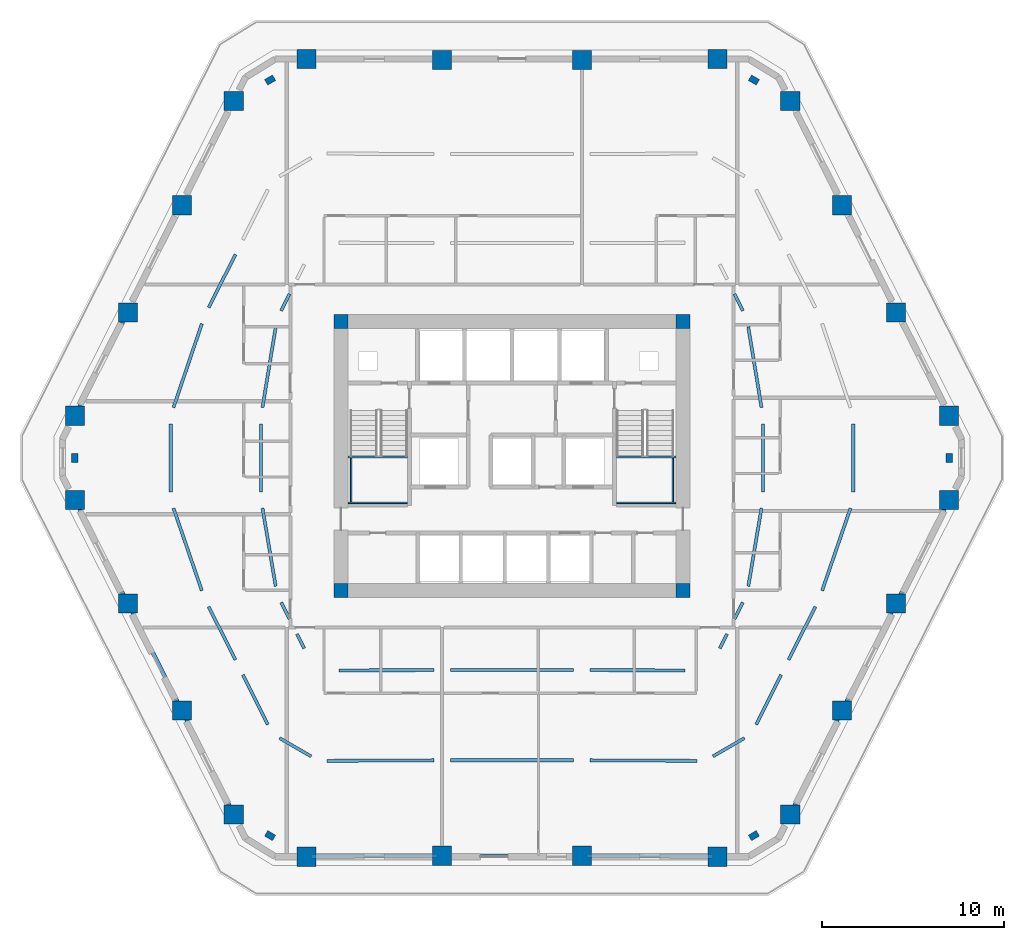
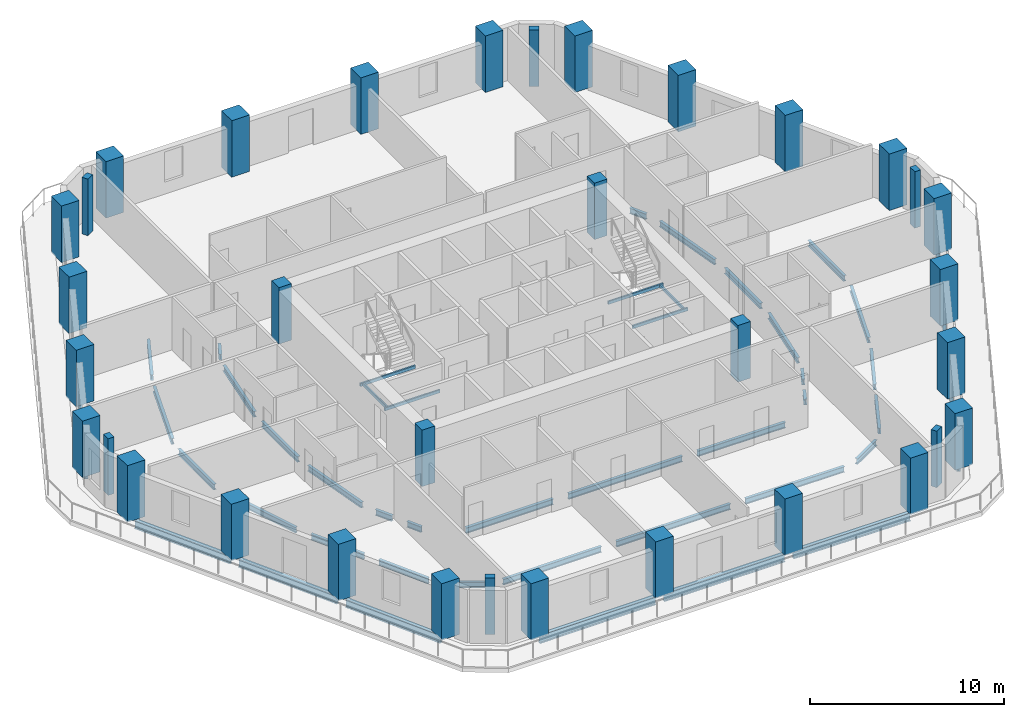
# One storey, part 1 of 10: 46 beams, 34 columns.
"""IFC4 building model written with IfcOpenShell, lengths in metres."""

from ifc_helpers import new_model, si_unit, direction, frame, origin, origin_2d, place, context, subcontext, project, spatial, rectangle, hollow_rectangle, i_section, extrude, material, material_profile, profile_set, type_object, element, save


model = new_model("IFC4")

# Units and contexts
model_context = context("Model", 3, precision=1e-05, world=origin(), true_north=direction((0.0, 1.0)))
body_context = subcontext(model_context, "Body", "Model", "MODEL_VIEW")
ifc_project = project(units=[si_unit("LENGTHUNIT", "METRE"), si_unit("AREAUNIT", "SQUARE_METRE"), si_unit("VOLUMEUNIT", "CUBIC_METRE"), si_unit("PLANEANGLEUNIT", "RADIAN"), si_unit("MASSUNIT", "GRAM", prefix="KILO")], contexts=[model_context])

# Site, building, storey
site_placement = place(None, origin())
site = spatial("IfcSite", under=ifc_project, at=site_placement, CompositionType="ELEMENT")
building_placement = place(site_placement, origin())
building = spatial("IfcBuilding", under=site, at=building_placement, Name="Cinnabar Lancet Tower", CompositionType="ELEMENT")
storey_placement = place(building_placement, frame((0.0, 0.0, 98.39990234375)))
storey = spatial("IfcBuildingStorey", under=building, at=storey_placement, Name="L25", CompositionType="ELEMENT", Elevation=98.39990234375)

# Columns
ifc_material_1 = material(Name="Concrete C70/85", Category="concrete")
ifc_material_profile_1 = material_profile(ifc_material_1, rectangle(XDim=0.75, YDim=0.75, at=origin_2d()), Name="RC-COL 750x750")
ifc_profile_set_1 = profile_set([ifc_material_profile_1], Name="Concrete C70/85")
column_type_1 = type_object("IfcColumnType", Name="STR-COL-CORE-750", PredefinedType="COLUMN", material=ifc_profile_set_1)
for number, where, z_axis, x_axis, name in (
    (1, (23.02490234375, 18.52490234375, 0.0), (0.0, 0.0, 1.0), (1.0, 0.0, 0.0), "L25 Core Corner Column SW"),
    (2, (41.77490234375, 18.52490234375, 0.0), (0.0, 0.0, 1.0), (1.0, 0.0, 0.0), "L25 Core Corner Column SE"),
    (3, (41.77490234375, 33.27490234375, 0.0), (0.0, 0.0, 1.0), (1.0, 0.0, 0.0), "L25 Core Corner Column NE"),
    (4, (23.02490234375, 33.27490234375, 0.0), (0.0, 0.0, 1.0), (1.0, 0.0, 0.0), "L25 Core Corner Column NW"),
):
    element("IfcColumn", number, at=place(storey_placement, frame(where, z_axis=z_axis, x_axis=x_axis)), inside=storey, type_object=column_type_1, Name=name, PredefinedType="COLUMN", context=body_context, shape_type="SweptSolid", body=[
        extrude(rectangle(XDim=0.75, YDim=0.75, at=origin_2d()), origin(), (0.0, 0.0, 1.0), 3.550048828125),
    ])
ifc_material_2 = material(Name="Concrete C60/75", Category="concrete")
ifc_material_profile_2 = material_profile(ifc_material_2, rectangle(XDim=0.5, YDim=0.35009765625, at=origin_2d()), Name="RC-PIL 500x350")
ifc_profile_set_2 = profile_set([ifc_material_profile_2], Name="Concrete C60/75")
column_type_2 = type_object("IfcColumnType", Name="STR-COL-PIL-500", PredefinedType="PILASTER", material=ifc_profile_set_2)
for number, where, z_axis, x_axis, name in (
    (5, (19.14111328125, 5.093017578125, 0.0), (0.0, 0.0, 1.0), (0.865160173452, -0.501495637342, 0.0), "L25 Chamfered Corner Pilaster 1"),
    (6, (45.658935546875, 5.093017578125, 0.0), (0.0, 0.0, 1.0), (0.865160173452, 0.501495637342, 0.0), "L25 Chamfered Corner Pilaster 2"),
    (7, (56.35693359375, 25.800048828125, 0.0), (0.0, 0.0, 1.0), (0.0, 1.0, 0.0), "L25 Chamfered Corner Pilaster 3"),
    (8, (45.658935546875, 46.508056640625, 0.0), (0.0, 0.0, 1.0), (-0.865160173452, 0.501495637342, 0.0), "L25 Chamfered Corner Pilaster 4"),
    (9, (19.14111328125, 46.508056640625, 0.0), (0.0, 0.0, 1.0), (-0.865160173452, -0.501495637342, 0.0), "L25 Chamfered Corner Pilaster 5"),
    (10, (8.443115234375, 25.800048828125, 0.0), (0.0, 0.0, 1.0), (0.0, -1.0, 0.0), "L25 Chamfered Corner Pilaster 6"),
):
    element("IfcColumn", number, at=place(storey_placement, frame(where, z_axis=z_axis, x_axis=x_axis)), inside=storey, type_object=column_type_2, Name=name, PredefinedType="PILASTER", context=body_context, shape_type="SweptSolid", body=[
        extrude(rectangle(XDim=0.5, YDim=0.35009765625, at=origin_2d()), origin(), (0.0, 0.0, 1.0), 3.550048828125),
    ])
ifc_material_3 = material(Name="Concrete C70/85", Category="concrete")
ifc_material_profile_3 = material_profile(ifc_material_3, rectangle(XDim=1.050048828125, YDim=1.050048828125, at=origin_2d()), Name="RC-COL 1050x1050")
ifc_profile_set_3 = profile_set([ifc_material_profile_3], Name="Concrete C70/85")
column_type_3 = type_object("IfcColumnType", Name="STR-COL-TUBE-1050", PredefinedType="COLUMN", material=ifc_profile_set_3)
for number, where, z_axis, x_axis, name in (
    (11, (21.131103515625, 3.93896484375, 0.0), (0.0, 0.0, 1.0), (1.0, 0.0, 0.0), "L25 Perimeter Tube Column 1"),
    (12, (28.568115234375, 3.991943359375, 0.0), (0.0, 0.0, 1.0), (1.0, 0.0, 0.0), "L25 Perimeter Tube Column 2"),
    (13, (36.23193359375, 3.991943359375, 0.0), (0.0, 0.0, 1.0), (1.0, 0.0, 0.0), "L25 Perimeter Tube Column 3"),
    (14, (43.6689453125, 3.93896484375, 0.0), (0.0, 0.0, 1.0), (1.0, 0.0, 0.0), "L25 Perimeter Tube Column 4"),
    (15, (47.64892578125, 6.24609375, 0.0), (0.0, 0.0, 1.0), (1.0, 0.0, 0.0), "L25 Perimeter Tube Column 5"),
    (16, (50.489013671875, 11.955078125, 0.0), (0.0, 0.0, 1.0), (1.0, 0.0, 0.0), "L25 Perimeter Tube Column 6"),
    (17, (53.451904296875, 17.823974609375, 0.0), (0.0, 0.0, 1.0), (1.0, 0.0, 0.0), "L25 Perimeter Tube Column 7"),
    (18, (56.35693359375, 23.490966796875, 0.0), (0.0, 0.0, 1.0), (1.0, 0.0, 0.0), "L25 Perimeter Tube Column 8"),
    (19, (56.35693359375, 28.10888671875, 0.0), (0.0, 0.0, 1.0), (1.0, 0.0, 0.0), "L25 Perimeter Tube Column 9"),
    (20, (53.451904296875, 33.77587890625, 0.0), (0.0, 0.0, 1.0), (1.0, 0.0, 0.0), "L25 Perimeter Tube Column 10"),
    (21, (50.489013671875, 39.64501953125, 0.0), (0.0, 0.0, 1.0), (1.0, 0.0, 0.0), "L25 Perimeter Tube Column 11"),
    (22, (47.64892578125, 45.35400390625, 0.0), (0.0, 0.0, 1.0), (1.0, 0.0, 0.0), "L25 Perimeter Tube Column 12"),
    (23, (43.6689453125, 47.660888671875, 0.0), (0.0, 0.0, 1.0), (1.0, 0.0, 0.0), "L25 Perimeter Tube Column 13"),
    (24, (36.23193359375, 47.60791015625, 0.0), (0.0, 0.0, 1.0), (1.0, 0.0, 0.0), "L25 Perimeter Tube Column 14"),
    (25, (28.568115234375, 47.60791015625, 0.0), (0.0, 0.0, 1.0), (1.0, 0.0, 0.0), "L25 Perimeter Tube Column 15"),
    (26, (21.131103515625, 47.660888671875, 0.0), (0.0, 0.0, 1.0), (1.0, 0.0, 0.0), "L25 Perimeter Tube Column 16"),
    (27, (17.15087890625, 45.35400390625, 0.0), (0.0, 0.0, 1.0), (1.0, 0.0, 0.0), "L25 Perimeter Tube Column 17"),
    (28, (14.31103515625, 39.64501953125, 0.0), (0.0, 0.0, 1.0), (1.0, 0.0, 0.0), "L25 Perimeter Tube Column 18"),
    (29, (11.347900390625, 33.77587890625, 0.0), (0.0, 0.0, 1.0), (1.0, 0.0, 0.0), "L25 Perimeter Tube Column 19"),
    (30, (8.443115234375, 28.10888671875, 0.0), (0.0, 0.0, 1.0), (1.0, 0.0, 0.0), "L25 Perimeter Tube Column 20"),
    (31, (8.443115234375, 23.490966796875, 0.0), (0.0, 0.0, 1.0), (1.0, 0.0, 0.0), "L25 Perimeter Tube Column 21"),
    (32, (11.347900390625, 17.823974609375, 0.0), (0.0, 0.0, 1.0), (1.0, 0.0, 0.0), "L25 Perimeter Tube Column 22"),
    (33, (14.31103515625, 11.955078125, 0.0), (0.0, 0.0, 1.0), (1.0, 0.0, 0.0), "L25 Perimeter Tube Column 23"),
    (34, (17.15087890625, 6.24609375, 0.0), (0.0, 0.0, 1.0), (1.0, 0.0, 0.0), "L25 Perimeter Tube Column 24"),
):
    element("IfcColumn", number, at=place(storey_placement, frame(where, z_axis=z_axis, x_axis=x_axis)), inside=storey, type_object=column_type_3, Name=name, PredefinedType="COLUMN", context=body_context, shape_type="SweptSolid", body=[
        extrude(rectangle(XDim=1.050048828125, YDim=1.050048828125, at=origin_2d()), origin(), (0.0, 0.0, 1.0), 3.550048828125),
    ])

# Beams
ifc_material_4 = material(Name="Structural steel S355", Category="steel")
ifc_material_profile_4 = material_profile(ifc_material_4, i_section(OverallWidth=0.17138671875, OverallDepth=0.35498046875, WebThickness=0.00732421875, FlangeThickness=0.011474609375, FilletRadius=0.01025390625, at=origin_2d()), Name="UKB 356x171x51")
ifc_profile_set_4 = profile_set([ifc_material_profile_4], Name="Structural steel S355")
beam_type_1 = type_object("IfcBeamType", Name="STR-BM-JST-356", PredefinedType="JOIST", material=ifc_profile_set_4)
beam_1_placement = place(storey_placement, frame((13.846923828125, 23.041015625, -0.386962890625), z_axis=(0.324745877327, -0.945801308499, 0.0), x_axis=(0.945801308499, 0.324745877327, 0.0)))
element("IfcBeam", 35, at=beam_1_placement, inside=storey, type_object=beam_type_1, Name="L25 Secondary Floor Joist 1", PredefinedType="JOIST", context=body_context, shape_type="SweptSolid", body=[
    extrude(i_section(OverallWidth=0.17138671875, OverallDepth=0.35498046875, WebThickness=0.00732421875, FlangeThickness=0.011474609375, FilletRadius=0.01025390625, at=origin_2d()), origin(), (0.0, 0.0, 1.0), 4.7822265625),
])
beam_2_placement = place(storey_placement, frame((18.72607421875, 23.041015625, -0.386962890625), z_axis=(0.16610446643, -0.986108161528, 0.0), x_axis=(0.986108161528, 0.16610446643, 0.0)))
element("IfcBeam", 36, at=beam_2_placement, inside=storey, type_object=beam_type_1, Name="L25 Secondary Floor Joist 2", PredefinedType="JOIST", context=body_context, shape_type="SweptSolid", body=[
    extrude(i_section(OverallWidth=0.17138671875, OverallDepth=0.35498046875, WebThickness=0.00732421875, FlangeThickness=0.011474609375, FilletRadius=0.01025390625, at=origin_2d()), origin(), (0.0, 0.0, 1.0), 4.34033203125),
])
beam_3_placement = place(storey_placement, frame((15.77294921875, 17.638916015625, -0.386962890625), z_axis=(0.450535046015, -0.892758742501, 0.0), x_axis=(0.892758742501, 0.450535046015, 0.0)))
element("IfcBeam", 37, at=beam_3_placement, inside=storey, type_object=beam_type_1, Name="L25 Secondary Floor Joist 3", PredefinedType="JOIST", context=body_context, shape_type="SweptSolid", body=[
    extrude(i_section(OverallWidth=0.17138671875, OverallDepth=0.35498046875, WebThickness=0.00732421875, FlangeThickness=0.011474609375, FilletRadius=0.01025390625, at=origin_2d()), origin(), (0.0, 0.0, 1.0), 3.260498046875),
])
beam_4_placement = place(storey_placement, frame((19.742919921875, 17.876953125, -0.386962890625), z_axis=(0.450829908766, -0.892609877473, 0.0), x_axis=(0.892609877473, 0.450829908766, 0.0)))
element("IfcBeam", 38, at=beam_4_placement, inside=storey, type_object=beam_type_1, Name="L25 Secondary Floor Joist 4", PredefinedType="JOIST", context=body_context, shape_type="SweptSolid", body=[
    extrude(i_section(OverallWidth=0.17138671875, OverallDepth=0.35498046875, WebThickness=0.00732421875, FlangeThickness=0.011474609375, FilletRadius=0.01025390625, at=origin_2d()), origin(), (0.0, 0.0, 1.0), 1.025146484375),
])
beam_5_placement = place(storey_placement, frame((17.652099609375, 13.909912109375, -0.386962890625), z_axis=(0.445356314246, -0.895353423717, 0.0), x_axis=(0.895353423717, 0.445356314246, 0.0)))
element("IfcBeam", 39, at=beam_5_placement, inside=storey, type_object=beam_type_1, Name="L25 Secondary Floor Joist 5", PredefinedType="JOIST", context=body_context, shape_type="SweptSolid", body=[
    extrude(i_section(OverallWidth=0.17138671875, OverallDepth=0.35498046875, WebThickness=0.00732421875, FlangeThickness=0.011474609375, FilletRadius=0.01025390625, at=origin_2d()), origin(), (0.0, 0.0, 1.0), 3.05126953125),
])
beam_6_placement = place(storey_placement, frame((20.614990234375, 16.14404296875, -0.386962890625), z_axis=(0.44544639327, -0.895308612001, 0.0), x_axis=(0.895308612001, 0.44544639327, 0.0)))
element("IfcBeam", 40, at=beam_6_placement, inside=storey, type_object=beam_type_1, Name="L25 Secondary Floor Joist 6", PredefinedType="JOIST", context=body_context, shape_type="SweptSolid", body=[
    extrude(i_section(OverallWidth=0.17138671875, OverallDepth=0.35498046875, WebThickness=0.00732421875, FlangeThickness=0.011474609375, FilletRadius=0.01025390625, at=origin_2d()), origin(), (0.0, 0.0, 1.0), 0.884521484375),
])
beam_7_placement = place(storey_placement, frame((19.656005859375, 10.43994140625, -0.386962890625), z_axis=(0.865351249134, -0.5011658564, 0.0), x_axis=(0.5011658564, 0.865351249134, 0.0)))
element("IfcBeam", 41, at=beam_7_placement, inside=storey, type_object=beam_type_1, Name="L25 Secondary Floor Joist 7", PredefinedType="JOIST", context=body_context, shape_type="SweptSolid", body=[
    extrude(i_section(OverallWidth=0.17138671875, OverallDepth=0.35498046875, WebThickness=0.00732421875, FlangeThickness=0.011474609375, FilletRadius=0.01025390625, at=origin_2d()), origin(), (0.0, 0.0, 1.0), 2.005126953125),
])
beam_8_placement = place(storey_placement, frame((22.26708984375, 9.19189453125, -0.386962890625), z_axis=(0.99998682906, 0.005132417274, 0.0), x_axis=(-0.005132417274, 0.99998682906, 0.0)))
element("IfcBeam", 42, at=beam_8_placement, inside=storey, type_object=beam_type_1, Name="L25 Secondary Floor Joist 8", PredefinedType="JOIST", context=body_context, shape_type="SweptSolid", body=[
    extrude(i_section(OverallWidth=0.17138671875, OverallDepth=0.35498046875, WebThickness=0.00732421875, FlangeThickness=0.011474609375, FilletRadius=0.01025390625, at=origin_2d()), origin(), (0.0, 0.0, 1.0), 5.850830078125),
])
beam_9_placement = place(storey_placement, frame((22.910888671875, 14.14990234375, -0.386962890625), z_axis=(0.999996302371, 0.002719419802, 0.0), x_axis=(-0.002719419802, 0.999996302371, 0.0)))
element("IfcBeam", 43, at=beam_9_placement, inside=storey, type_object=beam_type_1, Name="L25 Secondary Floor Joist 9", PredefinedType="JOIST", context=body_context, shape_type="SweptSolid", body=[
    extrude(i_section(OverallWidth=0.17138671875, OverallDepth=0.35498046875, WebThickness=0.00732421875, FlangeThickness=0.011474609375, FilletRadius=0.01025390625, at=origin_2d()), origin(), (0.0, 0.0, 1.0), 5.20703125),
])
for number, where, z_axis, x_axis, name in (
    (44, (29.01806640625, 9.22412109375, -0.386962890625), (1.0, 0.0, 0.0), (0.0, 1.0, 0.0), "L25 Secondary Floor Joist 10"),
    (45, (29.01806640625, 14.1650390625, -0.386962890625), (1.0, 0.0, 0.0), (0.0, 1.0, 0.0), "L25 Secondary Floor Joist 11"),
):
    element("IfcBeam", number, at=place(storey_placement, frame(where, z_axis=z_axis, x_axis=x_axis)), inside=storey, type_object=beam_type_1, Name=name, PredefinedType="JOIST", context=body_context, shape_type="SweptSolid", body=[
        extrude(i_section(OverallWidth=0.17138671875, OverallDepth=0.35498046875, WebThickness=0.00732421875, FlangeThickness=0.011474609375, FilletRadius=0.01025390625, at=origin_2d()), origin(), (0.0, 0.0, 1.0), 6.763916015625),
    ])
beam_10_placement = place(storey_placement, frame((36.681884765625, 9.221923828125, -0.386962890625), z_axis=(0.999986830159, -0.005132203126, 0.0), x_axis=(0.005132203126, 0.999986830159, 0.0)))
element("IfcBeam", 46, at=beam_10_placement, inside=storey, type_object=beam_type_1, Name="L25 Secondary Floor Joist 12", PredefinedType="JOIST", context=body_context, shape_type="SweptSolid", body=[
    extrude(i_section(OverallWidth=0.17138671875, OverallDepth=0.35498046875, WebThickness=0.00732421875, FlangeThickness=0.011474609375, FilletRadius=0.01025390625, at=origin_2d()), origin(), (0.0, 0.0, 1.0), 5.85107421875),
])
beam_11_placement = place(storey_placement, frame((36.681884765625, 14.1640625, -0.386962890625), z_axis=(0.999996302371, -0.002719419802, 0.0), x_axis=(0.002719419802, 0.999996302371, 0.0)))
element("IfcBeam", 47, at=beam_11_placement, inside=storey, type_object=beam_type_1, Name="L25 Secondary Floor Joist 13", PredefinedType="JOIST", context=body_context, shape_type="SweptSolid", body=[
    extrude(i_section(OverallWidth=0.17138671875, OverallDepth=0.35498046875, WebThickness=0.00732421875, FlangeThickness=0.011474609375, FilletRadius=0.01025390625, at=origin_2d()), origin(), (0.0, 0.0, 1.0), 5.20703125),
])
beam_12_placement = place(storey_placement, frame((43.408935546875, 9.43505859375, -0.386962890625), z_axis=(0.865351249134, 0.5011658564, 0.0), x_axis=(-0.5011658564, 0.865351249134, 0.0)))
element("IfcBeam", 48, at=beam_12_placement, inside=storey, type_object=beam_type_1, Name="L25 Secondary Floor Joist 14", PredefinedType="JOIST", context=body_context, shape_type="SweptSolid", body=[
    extrude(i_section(OverallWidth=0.17138671875, OverallDepth=0.35498046875, WebThickness=0.00732421875, FlangeThickness=0.011474609375, FilletRadius=0.01025390625, at=origin_2d()), origin(), (0.0, 0.0, 1.0), 2.005126953125),
])
beam_13_placement = place(storey_placement, frame((45.7890625, 11.177978515625, -0.386962890625), z_axis=(0.445356314246, 0.895353423717, 0.0), x_axis=(-0.895353423717, 0.445356314246, 0.0)))
element("IfcBeam", 49, at=beam_13_placement, inside=storey, type_object=beam_type_1, Name="L25 Secondary Floor Joist 15", PredefinedType="JOIST", context=body_context, shape_type="SweptSolid", body=[
    extrude(i_section(OverallWidth=0.17138671875, OverallDepth=0.35498046875, WebThickness=0.00732421875, FlangeThickness=0.011474609375, FilletRadius=0.01025390625, at=origin_2d()), origin(), (0.0, 0.0, 1.0), 3.05126953125),
])
beam_14_placement = place(storey_placement, frame((43.791015625, 15.35205078125, -0.386962890625), z_axis=(0.44544639327, 0.895308612001, 0.0), x_axis=(-0.895308612001, 0.44544639327, 0.0)))
element("IfcBeam", 50, at=beam_14_placement, inside=storey, type_object=beam_type_1, Name="L25 Secondary Floor Joist 16", PredefinedType="JOIST", context=body_context, shape_type="SweptSolid", body=[
    extrude(i_section(OverallWidth=0.17138671875, OverallDepth=0.35498046875, WebThickness=0.00732421875, FlangeThickness=0.011474609375, FilletRadius=0.01025390625, at=origin_2d()), origin(), (0.0, 0.0, 1.0), 0.884521484375),
])
beam_15_placement = place(storey_placement, frame((47.55810546875, 14.72802734375, -0.386962890625), z_axis=(0.450535046015, 0.892758742501, 0.0), x_axis=(-0.892758742501, 0.450535046015, 0.0)))
element("IfcBeam", 51, at=beam_15_placement, inside=storey, type_object=beam_type_1, Name="L25 Secondary Floor Joist 17", PredefinedType="JOIST", context=body_context, shape_type="SweptSolid", body=[
    extrude(i_section(OverallWidth=0.17138671875, OverallDepth=0.35498046875, WebThickness=0.00732421875, FlangeThickness=0.011474609375, FilletRadius=0.01025390625, at=origin_2d()), origin(), (0.0, 0.0, 1.0), 3.260498046875),
])
beam_16_placement = place(storey_placement, frame((44.594970703125, 16.9619140625, -0.386962890625), z_axis=(0.45064012659, 0.892705705318, 0.0), x_axis=(-0.892705705318, 0.45064012659, 0.0)))
element("IfcBeam", 52, at=beam_16_placement, inside=storey, type_object=beam_type_1, Name="L25 Secondary Floor Joist 18", PredefinedType="JOIST", context=body_context, shape_type="SweptSolid", body=[
    extrude(i_section(OverallWidth=0.17138671875, OverallDepth=0.35498046875, WebThickness=0.00732421875, FlangeThickness=0.011474609375, FilletRadius=0.01025390625, at=origin_2d()), origin(), (0.0, 0.0, 1.0), 1.02490234375),
])
beam_17_placement = place(storey_placement, frame((49.39990234375, 18.51806640625, -0.386962890625), z_axis=(0.324745877327, 0.945801308499, 0.0), x_axis=(-0.945801308499, 0.324745877327, 0.0)))
element("IfcBeam", 53, at=beam_17_placement, inside=storey, type_object=beam_type_1, Name="L25 Secondary Floor Joist 19", PredefinedType="JOIST", context=body_context, shape_type="SweptSolid", body=[
    extrude(i_section(OverallWidth=0.17138671875, OverallDepth=0.35498046875, WebThickness=0.00732421875, FlangeThickness=0.011474609375, FilletRadius=0.01025390625, at=origin_2d()), origin(), (0.0, 0.0, 1.0), 4.7822265625),
])
beam_18_placement = place(storey_placement, frame((45.35302734375, 18.760986328125, -0.386962890625), z_axis=(0.16610446643, 0.986108161528, 0.0), x_axis=(-0.986108161528, 0.16610446643, 0.0)))
element("IfcBeam", 54, at=beam_18_placement, inside=storey, type_object=beam_type_1, Name="L25 Secondary Floor Joist 20", PredefinedType="JOIST", context=body_context, shape_type="SweptSolid", body=[
    extrude(i_section(OverallWidth=0.17138671875, OverallDepth=0.35498046875, WebThickness=0.00732421875, FlangeThickness=0.011474609375, FilletRadius=0.01025390625, at=origin_2d()), origin(), (0.0, 0.0, 1.0), 4.34033203125),
])
for number, where, z_axis, x_axis, name in (
    (55, (51.10693359375, 23.94091796875, -0.386962890625), (0.0, 1.0, 0.0), (-1.0, 0.0, 0.0), "L25 Secondary Floor Joist 21"),
    (56, (46.14990234375, 23.94091796875, -0.386962890625), (0.0, 1.0, 0.0), (-1.0, 0.0, 0.0), "L25 Secondary Floor Joist 22"),
):
    element("IfcBeam", number, at=place(storey_placement, frame(where, z_axis=z_axis, x_axis=x_axis)), inside=storey, type_object=beam_type_1, Name=name, PredefinedType="JOIST", context=body_context, shape_type="SweptSolid", body=[
        extrude(i_section(OverallWidth=0.17138671875, OverallDepth=0.35498046875, WebThickness=0.00732421875, FlangeThickness=0.011474609375, FilletRadius=0.01025390625, at=origin_2d()), origin(), (0.0, 0.0, 1.0), 3.718017578125),
    ])
beam_19_placement = place(storey_placement, frame((46.075927734375, 28.55908203125, -0.386962890625), z_axis=(-0.161869897693, 0.986812107861, 0.0), x_axis=(-0.986812107861, -0.161869897693, 0.0)))
element("IfcBeam", 57, at=beam_19_placement, inside=storey, type_object=beam_type_1, Name="L25 Secondary Floor Joist 24", PredefinedType="JOIST", context=body_context, shape_type="SweptSolid", body=[
    extrude(i_section(OverallWidth=0.17138671875, OverallDepth=0.35498046875, WebThickness=0.00732421875, FlangeThickness=0.011474609375, FilletRadius=0.01025390625, at=origin_2d()), origin(), (0.0, 0.0, 1.0), 4.47802734375),
])
beam_20_placement = place(storey_placement, frame((45.055908203125, 33.865966796875, -0.386962890625), z_axis=(-0.450647434843, 0.892702016055, 0.0), x_axis=(-0.892702016055, -0.450647434843, 0.0)))
element("IfcBeam", 58, at=beam_20_placement, inside=storey, type_object=beam_type_1, Name="L25 Secondary Floor Joist 26", PredefinedType="JOIST", context=body_context, shape_type="SweptSolid", body=[
    extrude(i_section(OverallWidth=0.17138671875, OverallDepth=0.35498046875, WebThickness=0.00732421875, FlangeThickness=0.011474609375, FilletRadius=0.01025390625, at=origin_2d()), origin(), (0.0, 0.0, 1.0), 1.02294921875),
])
beam_21_placement = place(storey_placement, frame((17.241943359375, 36.945068359375, -0.386962890625), z_axis=(-0.450657847066, -0.892696759755, 0.0), x_axis=(0.892696759755, -0.450657847066, 0.0)))
element("IfcBeam", 59, at=beam_21_placement, inside=storey, type_object=beam_type_1, Name="L25 Secondary Floor Joist 39", PredefinedType="JOIST", context=body_context, shape_type="SweptSolid", body=[
    extrude(i_section(OverallWidth=0.17138671875, OverallDepth=0.35498046875, WebThickness=0.00732421875, FlangeThickness=0.011474609375, FilletRadius=0.01025390625, at=origin_2d()), origin(), (0.0, 0.0, 1.0), 3.257568359375),
])
beam_22_placement = place(storey_placement, frame((20.205078125, 34.779052734375, -0.386962890625), z_axis=(-0.450837620546, -0.892605982447, 0.0), x_axis=(0.892605982447, -0.450837620546, 0.0)))
element("IfcBeam", 60, at=beam_22_placement, inside=storey, type_object=beam_type_1, Name="L25 Secondary Floor Joist 40", PredefinedType="JOIST", context=body_context, shape_type="SweptSolid", body=[
    extrude(i_section(OverallWidth=0.17138671875, OverallDepth=0.35498046875, WebThickness=0.00732421875, FlangeThickness=0.011474609375, FilletRadius=0.01025390625, at=origin_2d()), origin(), (0.0, 0.0, 1.0), 1.02294921875),
])
beam_23_placement = place(storey_placement, frame((15.40087890625, 33.152099609375, -0.386962890625), z_axis=(-0.320845640672, -0.947131498189, 0.0), x_axis=(0.947131498189, -0.320845640672, 0.0)))
element("IfcBeam", 61, at=beam_23_placement, inside=storey, type_object=beam_type_1, Name="L25 Secondary Floor Joist 41", PredefinedType="JOIST", context=body_context, shape_type="SweptSolid", body=[
    extrude(i_section(OverallWidth=0.17138671875, OverallDepth=0.35498046875, WebThickness=0.00732421875, FlangeThickness=0.011474609375, FilletRadius=0.01025390625, at=origin_2d()), origin(), (0.0, 0.0, 1.0), 4.849365234375),
])
beam_24_placement = place(storey_placement, frame((19.448974609375, 32.97802734375, -0.386962890625), z_axis=(-0.161869897693, -0.986812107861, 0.0), x_axis=(0.986812107861, -0.161869897693, 0.0)))
element("IfcBeam", 62, at=beam_24_placement, inside=storey, type_object=beam_type_1, Name="L25 Secondary Floor Joist 42", PredefinedType="JOIST", context=body_context, shape_type="SweptSolid", body=[
    extrude(i_section(OverallWidth=0.17138671875, OverallDepth=0.35498046875, WebThickness=0.00732421875, FlangeThickness=0.011474609375, FilletRadius=0.01025390625, at=origin_2d()), origin(), (0.0, 0.0, 1.0), 4.47802734375),
])
for number, where, z_axis, x_axis, name in (
    (63, (13.693115234375, 27.658935546875, -0.386962890625), (0.0, -1.0, 0.0), (1.0, 0.0, 0.0), "L25 Secondary Floor Joist 43"),
    (64, (18.64990234375, 27.658935546875, -0.386962890625), (0.0, -1.0, 0.0), (1.0, 0.0, 0.0), "L25 Secondary Floor Joist 44"),
):
    element("IfcBeam", number, at=place(storey_placement, frame(where, z_axis=z_axis, x_axis=x_axis)), inside=storey, type_object=beam_type_1, Name=name, PredefinedType="JOIST", context=body_context, shape_type="SweptSolid", body=[
        extrude(i_section(OverallWidth=0.17138671875, OverallDepth=0.35498046875, WebThickness=0.00732421875, FlangeThickness=0.011474609375, FilletRadius=0.01025390625, at=origin_2d()), origin(), (0.0, 0.0, 1.0), 3.718017578125),
    ])
ifc_material_5 = material(Name="Structural steel S355", Category="steel")
ifc_material_profile_5 = material_profile(ifc_material_5, hollow_rectangle(XDim=0.10009765625, YDim=0.199951171875, WallThickness=0.008056640625, InnerFilletRadius=0.00390625, OuterFilletRadius=0.011962890625, at=origin_2d()), Name="RHS 200x100x8")
ifc_profile_set_5 = profile_set([ifc_material_profile_5], Name="Structural steel S355")
beam_type_2 = type_object("IfcBeamType", Name="STR-BM-LND-203", PredefinedType="BEAM", material=ifc_profile_set_5)
for number, where, z_axis, x_axis, name in (
    (65, (23.39990234375, 23.330078125, 1.47509765625), (1.0, 0.0, 0.0), (0.0, 1.0, 0.0), "L25 ST-1-L25 Landing Support Beam S"),
    (66, (23.39990234375, 25.844970703125, 1.47509765625), (1.0, 0.0, 0.0), (0.0, 1.0, 0.0), "L25 ST-1-L25 Landing Support Beam N"),
):
    element("IfcBeam", number, at=place(storey_placement, frame(where, z_axis=z_axis, x_axis=x_axis)), inside=storey, type_object=beam_type_2, Name=name, PredefinedType="BEAM", context=body_context, shape_type="SweptSolid", body=[
        extrude(hollow_rectangle(XDim=0.10009765625, YDim=0.199951171875, WallThickness=0.008056640625, InnerFilletRadius=0.00390625, OuterFilletRadius=0.011962890625, at=origin_2d()), origin(), (0.0, 0.0, 1.0), 3.280029296875),
    ])
beam_25_placement = place(storey_placement, frame((23.580078125, 23.3798828125, 1.47509765625), z_axis=(0.0, 1.0, 0.0), x_axis=(-1.0, 0.0, 0.0)))
element("IfcBeam", 67, at=beam_25_placement, inside=storey, type_object=beam_type_2, Name="L25 ST-1-L25 Landing Side Trimmer Beam", PredefinedType="BEAM", context=body_context, shape_type="SweptSolid", body=[
    extrude(hollow_rectangle(XDim=0.10009765625, YDim=0.199951171875, WallThickness=0.008056640625, InnerFilletRadius=0.00390625, OuterFilletRadius=0.011962890625, at=origin_2d()), origin(), (0.0, 0.0, 1.0), 2.4150390625),
])
for number, where, z_axis, x_axis, name in (
    (68, (38.1201171875, 23.330078125, 1.47509765625), (1.0, 0.0, 0.0), (0.0, 1.0, 0.0), "L25 ST-2-L25 Landing Support Beam S"),
    (69, (38.1201171875, 25.844970703125, 1.47509765625), (1.0, 0.0, 0.0), (0.0, 1.0, 0.0), "L25 ST-2-L25 Landing Support Beam N"),
):
    element("IfcBeam", number, at=place(storey_placement, frame(where, z_axis=z_axis, x_axis=x_axis)), inside=storey, type_object=beam_type_2, Name=name, PredefinedType="BEAM", context=body_context, shape_type="SweptSolid", body=[
        extrude(hollow_rectangle(XDim=0.10009765625, YDim=0.199951171875, WallThickness=0.008056640625, InnerFilletRadius=0.00390625, OuterFilletRadius=0.011962890625, at=origin_2d()), origin(), (0.0, 0.0, 1.0), 3.27978515625),
    ])
beam_26_placement = place(storey_placement, frame((41.219970703125, 23.3798828125, 1.47509765625), z_axis=(0.0, 1.0, 0.0), x_axis=(-1.0, 0.0, 0.0)))
element("IfcBeam", 70, at=beam_26_placement, inside=storey, type_object=beam_type_2, Name="L25 ST-2-L25 Landing Side Trimmer Beam", PredefinedType="BEAM", context=body_context, shape_type="SweptSolid", body=[
    extrude(hollow_rectangle(XDim=0.10009765625, YDim=0.199951171875, WallThickness=0.008056640625, InnerFilletRadius=0.00390625, OuterFilletRadius=0.011962890625, at=origin_2d()), origin(), (0.0, 0.0, 1.0), 2.4150390625),
])
ifc_material_6 = material(Name="Structural steel S355", Category="steel")
ifc_material_profile_6 = material_profile(ifc_material_6, i_section(OverallWidth=0.209228515625, OverallDepth=0.533203125, WebThickness=0.010009765625, FlangeThickness=0.015625, FilletRadius=0.0126953125, at=origin_2d()), Name="UKB 533x210x92")
ifc_profile_set_6 = profile_set([ifc_material_profile_6], Name="Structural steel S355")
beam_type_3 = type_object("IfcBeamType", Name="STR-BM-SPN-533", PredefinedType="SPANDREL", material=ifc_profile_set_6)
beam_27_placement = place(storey_placement, frame((21.381103515625, 3.94091796875, -0.476806640625), z_axis=(0.999974980359, 0.007073800628, 0.0), x_axis=(-0.007073800628, 0.999974980359, 0.0)))
element("IfcBeam", 71, at=beam_27_placement, inside=storey, type_object=beam_type_3, Name="L25 Perimeter Spandrel 1", PredefinedType="SPANDREL", context=body_context, shape_type="SweptSolid", body=[
    extrude(i_section(OverallWidth=0.209228515625, OverallDepth=0.533203125, WebThickness=0.010009765625, FlangeThickness=0.015625, FilletRadius=0.0126953125, at=origin_2d()), origin(), (0.0, 0.0, 1.0), 6.937255859375),
])
beam_28_placement = place(storey_placement, frame((28.818115234375, 3.991943359375, -0.476806640625), z_axis=(1.0, 0.0, 0.0), x_axis=(0.0, 1.0, 0.0)))
element("IfcBeam", 72, at=beam_28_placement, inside=storey, type_object=beam_type_3, Name="L25 Perimeter Spandrel 2", PredefinedType="SPANDREL", context=body_context, shape_type="SweptSolid", body=[
    extrude(i_section(OverallWidth=0.209228515625, OverallDepth=0.533203125, WebThickness=0.010009765625, FlangeThickness=0.015625, FilletRadius=0.0126953125, at=origin_2d()), origin(), (0.0, 0.0, 1.0), 7.163818359375),
])
beam_29_placement = place(storey_placement, frame((36.48193359375, 3.989990234375, -0.476806640625), z_axis=(0.999974980359, -0.007073800628, 0.0), x_axis=(0.007073800628, 0.999974980359, 0.0)))
element("IfcBeam", 73, at=beam_29_placement, inside=storey, type_object=beam_type_3, Name="L25 Perimeter Spandrel 3", PredefinedType="SPANDREL", context=body_context, shape_type="SweptSolid", body=[
    extrude(i_section(OverallWidth=0.209228515625, OverallDepth=0.533203125, WebThickness=0.010009765625, FlangeThickness=0.015625, FilletRadius=0.0126953125, at=origin_2d()), origin(), (0.0, 0.0, 1.0), 6.937255859375),
])
beam_30_placement = place(storey_placement, frame((47.760009765625, 6.469970703125, -0.476806640625), z_axis=(0.445501068635, 0.89528140707, 0.0), x_axis=(-0.89528140707, 0.445501068635, 0.0)))
element("IfcBeam", 74, at=beam_30_placement, inside=storey, type_object=beam_type_3, Name="L25 Perimeter Spandrel 5", PredefinedType="SPANDREL", context=body_context, shape_type="SweptSolid", body=[
    extrude(i_section(OverallWidth=0.209228515625, OverallDepth=0.533203125, WebThickness=0.010009765625, FlangeThickness=0.015625, FilletRadius=0.0126953125, at=origin_2d()), origin(), (0.0, 0.0, 1.0), 5.87646484375),
])
beam_31_placement = place(storey_placement, frame((50.60205078125, 12.177978515625, -0.476806640625), z_axis=(0.450570325924, 0.892740937449, 0.0), x_axis=(-0.892740937449, 0.450570325924, 0.0)))
element("IfcBeam", 75, at=beam_31_placement, inside=storey, type_object=beam_type_3, Name="L25 Perimeter Spandrel 6", PredefinedType="SPANDREL", context=body_context, shape_type="SweptSolid", body=[
    extrude(i_section(OverallWidth=0.209228515625, OverallDepth=0.533203125, WebThickness=0.010009765625, FlangeThickness=0.015625, FilletRadius=0.0126953125, at=origin_2d()), origin(), (0.0, 0.0, 1.0), 6.07470703125),
])
beam_32_placement = place(storey_placement, frame((53.56591796875, 18.0458984375, -0.476806640625), z_axis=(0.456109733574, 0.889923542187, 0.0), x_axis=(-0.889923542187, 0.456109733574, 0.0)))
element("IfcBeam", 76, at=beam_32_placement, inside=storey, type_object=beam_type_3, Name="L25 Perimeter Spandrel 7", PredefinedType="SPANDREL", context=body_context, shape_type="SweptSolid", body=[
    extrude(i_section(OverallWidth=0.209228515625, OverallDepth=0.533203125, WebThickness=0.010009765625, FlangeThickness=0.015625, FilletRadius=0.0126953125, at=origin_2d()), origin(), (0.0, 0.0, 1.0), 5.869140625),
])
beam_33_placement = place(storey_placement, frame((11.23388671875, 33.553955078125, -0.476806640625), z_axis=(-0.456126618405, -0.889914888055, 0.0), x_axis=(0.889914888055, -0.456126618405, 0.0)))
element("IfcBeam", 77, at=beam_33_placement, inside=storey, type_object=beam_type_3, Name="L25 Perimeter Spandrel 19", PredefinedType="SPANDREL", context=body_context, shape_type="SweptSolid", body=[
    extrude(i_section(OverallWidth=0.209228515625, OverallDepth=0.533203125, WebThickness=0.010009765625, FlangeThickness=0.015625, FilletRadius=0.0126953125, at=origin_2d()), origin(), (0.0, 0.0, 1.0), 5.868896484375),
])
beam_34_placement = place(storey_placement, frame((8.556884765625, 23.26904296875, -0.476806640625), z_axis=(0.456109733574, -0.889923542187, 0.0), x_axis=(0.889923542187, 0.456109733574, 0.0)))
element("IfcBeam", 78, at=beam_34_placement, inside=storey, type_object=beam_type_3, Name="L25 Perimeter Spandrel 21", PredefinedType="SPANDREL", context=body_context, shape_type="SweptSolid", body=[
    extrude(i_section(OverallWidth=0.209228515625, OverallDepth=0.533203125, WebThickness=0.010009765625, FlangeThickness=0.015625, FilletRadius=0.0126953125, at=origin_2d()), origin(), (0.0, 0.0, 1.0), 5.869140625),
])
beam_35_placement = place(storey_placement, frame((11.4609375, 17.60107421875, -0.476806640625), z_axis=(0.450570325924, -0.892740937449, 0.0), x_axis=(0.892740937449, 0.450570325924, 0.0)))
element("IfcBeam", 79, at=beam_35_placement, inside=storey, type_object=beam_type_3, Name="L25 Perimeter Spandrel 22", PredefinedType="SPANDREL", context=body_context, shape_type="SweptSolid", body=[
    extrude(i_section(OverallWidth=0.209228515625, OverallDepth=0.533203125, WebThickness=0.010009765625, FlangeThickness=0.015625, FilletRadius=0.0126953125, at=origin_2d()), origin(), (0.0, 0.0, 1.0), 6.07470703125),
])
beam_36_placement = place(storey_placement, frame((14.422119140625, 11.73095703125, -0.476806640625), z_axis=(0.445501068635, -0.89528140707, 0.0), x_axis=(0.89528140707, 0.445501068635, 0.0)))
element("IfcBeam", 80, at=beam_36_placement, inside=storey, type_object=beam_type_3, Name="L25 Perimeter Spandrel 23", PredefinedType="SPANDREL", context=body_context, shape_type="SweptSolid", body=[
    extrude(i_section(OverallWidth=0.209228515625, OverallDepth=0.533203125, WebThickness=0.010009765625, FlangeThickness=0.015625, FilletRadius=0.0126953125, at=origin_2d()), origin(), (0.0, 0.0, 1.0), 5.87646484375),
])

save(model, "model.ifc")
